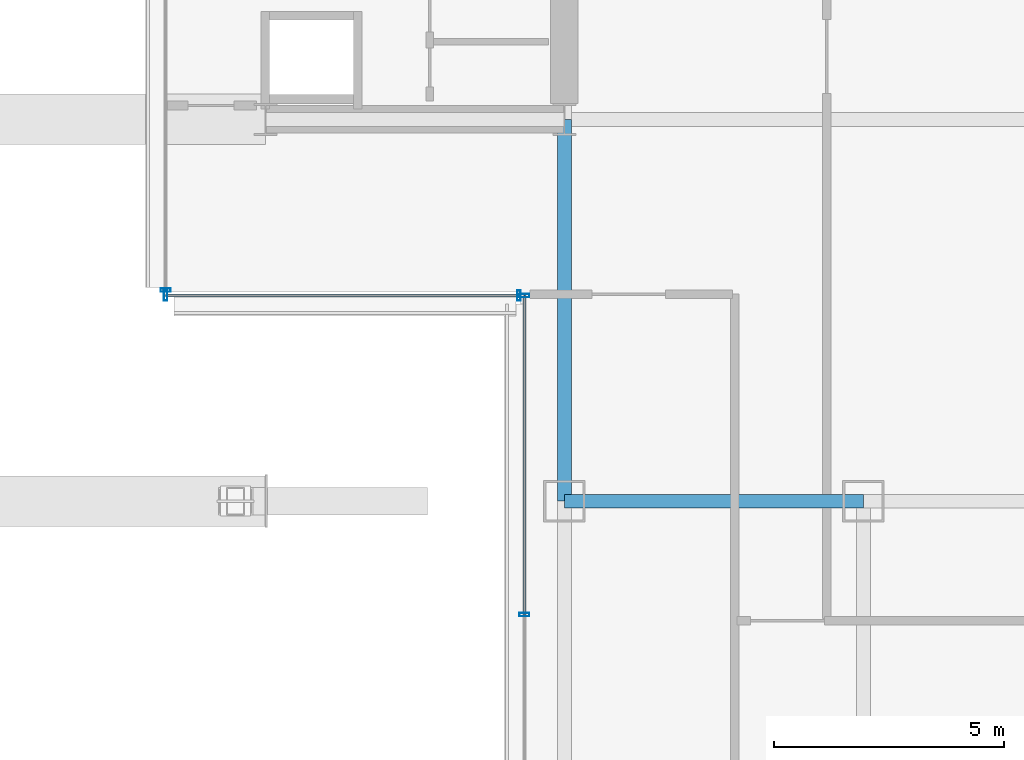
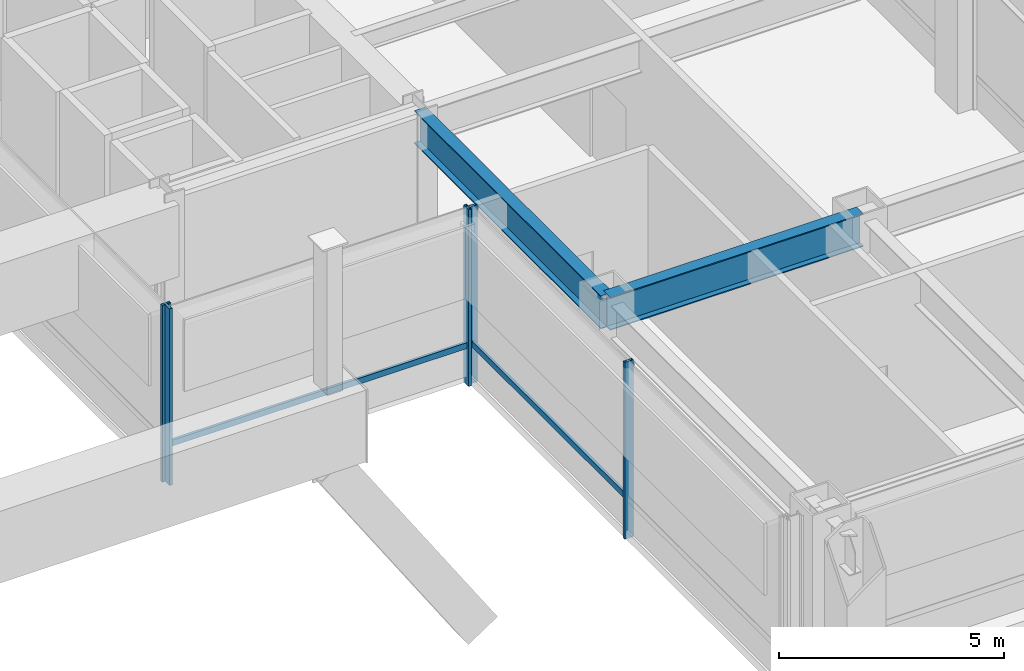
# One storey, part 11 of 42: 7 members, 2 beams, 3 elements without a shape of their own.
"""IFC4 building model written with IfcOpenShell, lengths in metres."""

from ifc_helpers import new_model, si_unit, direction, frame, origin, origin_2d, place, context, subcontext, project, spatial, hollow_rectangle, i_section, extrude, material, layer, layer_set, material_profile, profile_set, type_object, element, aggregate, save


model = new_model("IFC4")

# Units and contexts
model_context = context("Model", 3, precision=1e-05, world=origin(), true_north=direction((0.0, 1.0)))
body_context = subcontext(model_context, "Body", "Model", "MODEL_VIEW")
ifc_project = project(units=[si_unit("LENGTHUNIT", "METRE"), si_unit("AREAUNIT", "SQUARE_METRE"), si_unit("VOLUMEUNIT", "CUBIC_METRE"), si_unit("PLANEANGLEUNIT", "RADIAN"), si_unit("MASSUNIT", "GRAM", prefix="KILO")], contexts=[model_context])

# Site, building, storey
site_placement = place(None, origin())
site = spatial("IfcSite", under=ifc_project, at=site_placement, CompositionType="ELEMENT")
building_placement = place(site_placement, origin())
building = spatial("IfcBuilding", under=site, at=building_placement, Name="Brelmoor Portico Tower", CompositionType="ELEMENT")
storey_placement = place(building_placement, frame((0.0, 0.0, 9.60009765625)))
storey = spatial("IfcBuildingStorey", under=building, at=storey_placement, Name="L02", CompositionType="ELEMENT", Elevation=9.60009765625)

# Beams
ifc_material_1 = material(Name="Steel Q355B", Category="steel")
ifc_material_profile_1 = material_profile(ifc_material_1, i_section(OverallWidth=0.300048828125, OverallDepth=0.89990234375, WebThickness=0.01611328125, FlangeThickness=0.028076171875, at=origin_2d()), Name="HN 900x300x16x28")
ifc_profile_set_1 = profile_set([ifc_material_profile_1], Name="Steel Q355B")
beam_type = type_object("IfcBeamType", Name="BM-PG-900", PredefinedType="BEAM", material=ifc_profile_set_1)
beam_1_placement = place(storey_placement, frame((14.550048828125, -18.050048828125, 4.1298828125), z_axis=(0.0, 1.0, 0.0), x_axis=(-1.0, 0.0, 0.0)))
element("IfcBeam", 1, at=beam_1_placement, inside=storey, type_object=beam_type, Name="L02 Primary Floor Girder PG-13", PredefinedType="BEAM", context=body_context, shape_type="SweptSolid", body=[
    extrude(i_section(OverallWidth=0.300048828125, OverallDepth=0.89990234375, WebThickness=0.01611328125, FlangeThickness=0.028076171875, at=origin_2d()), origin(), (0.0, 0.0, 1.0), 8.300048828125),
])
beam_2_placement = place(storey_placement, frame((14.550048828125, -18.050048828125, 4.1298828125), z_axis=(1.0, 0.0, 0.0), x_axis=(0.0, 1.0, 0.0)))
element("IfcBeam", 2, at=beam_2_placement, inside=storey, type_object=beam_type, Name="L02 Primary Floor Girder PG-23", PredefinedType="BEAM", context=body_context, shape_type="SweptSolid", body=[
    extrude(i_section(OverallWidth=0.300048828125, OverallDepth=0.89990234375, WebThickness=0.01611328125, FlangeThickness=0.028076171875, at=origin_2d()), origin(), (0.0, 0.0, 1.0), 6.5),
])

# Curtain wall, members
ifc_material_2 = material(Name="Anodised Aluminium Alloy 6063-T6", Category="aluminium")
ifc_layer = layer(ifc_material_2, 0.179931640625)
ifc_layer_set = layer_set([ifc_layer], Name="Anodised Aluminium Alloy 6063-T6")
curtain_wall_type = type_object("IfcCurtainWallType", Name="CW-PODIUM-ARCH", PredefinedType="NOTDEFINED", material=ifc_layer_set)
curtain_wall_1_placement = place(storey_placement, origin())
curtain_wall_1 = element("IfcCurtainWall", 3, at=curtain_wall_1_placement, inside=storey, type_object=curtain_wall_type, Name="L02 Curtain Wall CW-L02-08", PredefinedType="NOTDEFINED")
ifc_material_profile_2 = material_profile(ifc_material_2, hollow_rectangle(XDim=0.074951171875, YDim=0.219970703125, WallThickness=0.0048828125, at=origin_2d()), Name="ALU MULLION 75x220")
ifc_profile_set_2 = profile_set([ifc_material_profile_2], Name="Anodised Aluminium Alloy 6063-T6")
member_type_1 = type_object("IfcMemberType", Name="MB-CW-MULL-220", PredefinedType="MULLION", material=ifc_profile_set_2)
member_1_placement = place(storey_placement, frame((13.679931640625, -20.514892578125, -0.22021484375), z_axis=(0.0, 0.0, 1.0), x_axis=(0.0, 1.0, 0.0)))
member_1 = element("IfcMember", 4, at=member_1_placement, type_object=member_type_1, Name="CW-L02-08 Mullion 01", PredefinedType="MULLION", context=body_context, shape_type="SweptSolid", body=[
    extrude(hollow_rectangle(XDim=0.074951171875, YDim=0.219970703125, WallThickness=0.0048828125, at=origin_2d()), origin(), (0.0, 0.0, 1.0), 4.800048828125),
])
member_2_placement = place(storey_placement, frame((13.679931640625, -13.580078125, -0.22021484375), z_axis=(0.0, 0.0, 1.0), x_axis=(0.0, 1.0, 0.0)))
member_2 = element("IfcMember", 5, at=member_2_placement, type_object=member_type_1, Name="CW-L02-08 Mullion 02", PredefinedType="MULLION", context=body_context, shape_type="SweptSolid", body=[
    extrude(hollow_rectangle(XDim=0.074951171875, YDim=0.219970703125, WallThickness=0.0048828125, at=origin_2d()), origin(), (0.0, 0.0, 1.0), 4.800048828125),
])

curtain_wall_2_placement = place(storey_placement, origin())
curtain_wall_2 = element("IfcCurtainWall", 6, at=curtain_wall_2_placement, inside=storey, type_object=curtain_wall_type, Name="L02 Curtain Wall CW-L02-12", PredefinedType="NOTDEFINED")
member_3_placement = place(storey_placement, frame((5.8798828125, -13.580078125, -0.22021484375), z_axis=(0.0, 0.0, 1.0), x_axis=(1.0, 0.0, 0.0)))
member_3 = element("IfcMember", 7, at=member_3_placement, type_object=member_type_1, Name="CW-L02-12 Mullion 00", PredefinedType="MULLION", context=body_context, shape_type="SweptSolid", body=[
    extrude(hollow_rectangle(XDim=0.074951171875, YDim=0.219970703125, WallThickness=0.0048828125, at=origin_2d()), origin(), (0.0, 0.0, 1.0), 4.800048828125),
])
member_4_placement = place(storey_placement, frame((13.56005859375, -13.580078125, -0.22021484375), z_axis=(0.0, 0.0, 1.0), x_axis=(1.0, 0.0, 0.0)))
member_4 = element("IfcMember", 8, at=member_4_placement, type_object=member_type_1, Name="CW-L02-12 Mullion 01", PredefinedType="MULLION", context=body_context, shape_type="SweptSolid", body=[
    extrude(hollow_rectangle(XDim=0.074951171875, YDim=0.219970703125, WallThickness=0.0048828125, at=origin_2d()), origin(), (0.0, 0.0, 1.0), 4.800048828125),
])

# Curtain wall, member
curtain_wall_3_placement = place(storey_placement, origin())
curtain_wall_3 = element("IfcCurtainWall", 9, at=curtain_wall_3_placement, inside=storey, type_object=curtain_wall_type, Name="L02 Curtain Wall CW-L02-16", PredefinedType="NOTDEFINED")
member_5_placement = place(storey_placement, frame((5.8798828125, -13.4599609375, -0.22021484375), z_axis=(0.0, 0.0, 1.0), x_axis=(0.0, 1.0, 0.0)))
member_5 = element("IfcMember", 10, at=member_5_placement, type_object=member_type_1, Name="CW-L02-16 Mullion 00", PredefinedType="MULLION", context=body_context, shape_type="SweptSolid", body=[
    extrude(hollow_rectangle(XDim=0.074951171875, YDim=0.219970703125, WallThickness=0.0048828125, at=origin_2d()), origin(), (0.0, 0.0, 1.0), 4.800048828125),
])
aggregate(curtain_wall_3, [member_5])

# Member
ifc_material_profile_3 = material_profile(ifc_material_2, hollow_rectangle(XDim=0.070068359375, YDim=0.159912109375, WallThickness=0.00390625, at=origin_2d()), Name="ALU TRANSOM 70x160")
ifc_profile_set_3 = profile_set([ifc_material_profile_3], Name="Anodised Aluminium Alloy 6063-T6")
member_type_2 = type_object("IfcMemberType", Name="MB-CW-TRAN-160", PredefinedType="USERDEFINED", material=ifc_profile_set_3)
member_6_placement = place(storey_placement, frame((13.679931640625, -20.514892578125, 0.849853515625), z_axis=(0.0, 1.0, 0.0), x_axis=(-1.0, 0.0, 0.0)))
member_6 = element("IfcMember", 11, at=member_6_placement, type_object=member_type_2, Name="CW-L02-08 Transom 1-01", ObjectType="TRANSOM", PredefinedType="USERDEFINED", context=body_context, shape_type="SweptSolid", body=[
    extrude(hollow_rectangle(XDim=0.070068359375, YDim=0.159912109375, WallThickness=0.00390625, at=origin_2d()), origin(), (0.0, 0.0, 1.0), 6.934814453125),
])

aggregate(curtain_wall_1, [member_1, member_2, member_6])

member_7_placement = place(storey_placement, frame((5.8798828125, -13.580078125, 0.849853515625), z_axis=(1.0, 0.0, 0.0), x_axis=(0.0, 1.0, 0.0)))
member_7 = element("IfcMember", 12, at=member_7_placement, type_object=member_type_2, Name="CW-L02-12 Transom 1-00", ObjectType="TRANSOM", PredefinedType="USERDEFINED", context=body_context, shape_type="SweptSolid", body=[
    extrude(hollow_rectangle(XDim=0.070068359375, YDim=0.159912109375, WallThickness=0.00390625, at=origin_2d()), origin(), (0.0, 0.0, 1.0), 7.800048828125),
])

aggregate(curtain_wall_2, [member_3, member_4, member_7])

save(model, "model.ifc")
